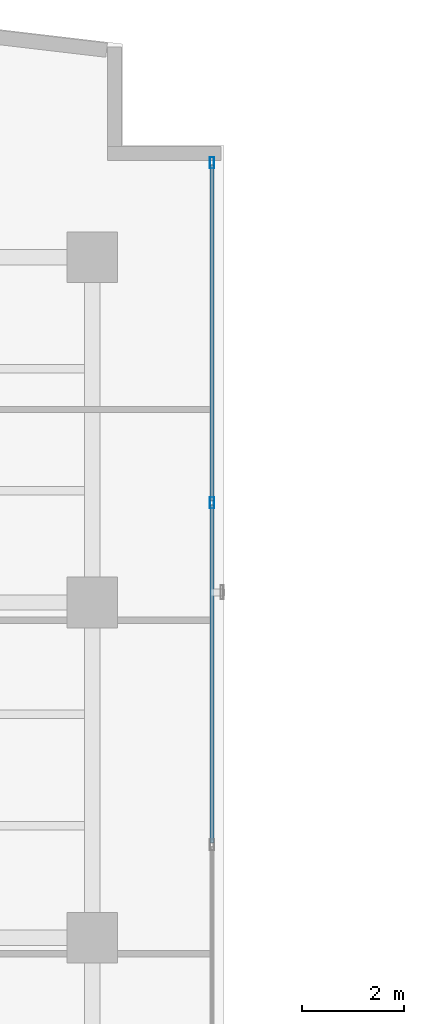
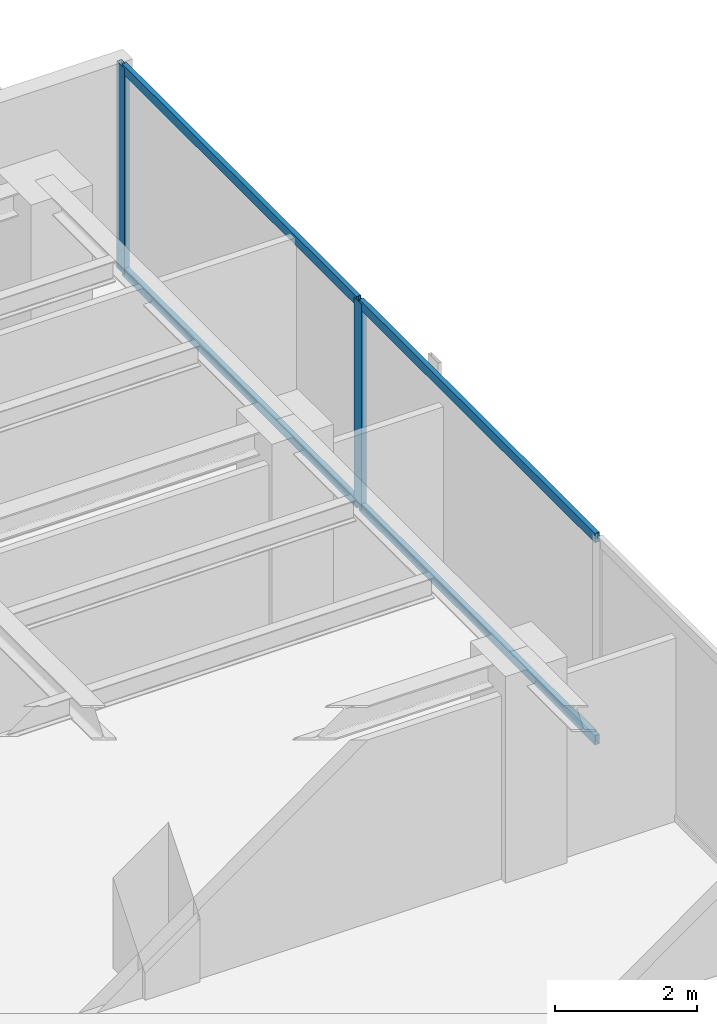
# One storey, part 15 of 24: 6 members, 1 element without a shape of its own.
"""IFC4 building model written with IfcOpenShell, lengths in metres."""

from ifc_helpers import new_model, si_unit, direction, frame, origin, origin_with_axes, origin_2d, place, context, subcontext, project, spatial, hollow_rectangle, extrude, source, transform, mapped, material, layer, layer_set, material_profile, profile_set, type_object, element, aggregate, save


model = new_model("IFC4")

# Units and contexts
model_context = context("Model", 3, precision=1e-05, world=origin(), true_north=direction((0.0, 1.0)))
body_context = subcontext(model_context, "Body", "Model", "MODEL_VIEW")
ifc_project = project(units=[si_unit("LENGTHUNIT", "METRE"), si_unit("AREAUNIT", "SQUARE_METRE"), si_unit("VOLUMEUNIT", "CUBIC_METRE"), si_unit("PLANEANGLEUNIT", "RADIAN"), si_unit("MASSUNIT", "GRAM", prefix="KILO")], contexts=[model_context])

# Site, building, storey
site_placement = place(None, origin())
site = spatial("IfcSite", under=ifc_project, at=site_placement, CompositionType="ELEMENT")
building_placement = place(site_placement, origin())
building = spatial("IfcBuilding", under=site, at=building_placement, Name="Kolvaren Waterfront Exchange", CompositionType="ELEMENT")
storey_placement = place(building_placement, frame((0.0, 0.0, 238.699951171875)))
storey = spatial("IfcBuildingStorey", under=building, at=storey_placement, Name="L61", CompositionType="ELEMENT", Elevation=238.699951171875)

# Curtain wall, members
ifc_material_1 = material(Name="Anodised bronze aluminium 6063-T6", Category="aluminium")
ifc_layer = layer(ifc_material_1, 0.219970703125, Name="Anodised bronze aluminium 6063-T6")
ifc_layer_set = layer_set([ifc_layer], Name="Anodised bronze aluminium 6063-T6")
curtain_wall_type = type_object("IfcCurtainWallType", Name="ARC-CW-SYS1", PredefinedType="USERDEFINED", material=ifc_layer_set)
curtain_wall_placement = place(storey_placement, origin())
curtain_wall = element("IfcCurtainWall", 1, at=curtain_wall_placement, inside=storey, type_object=curtain_wall_type, Name="L61 stick curtain wall CW1 (CW-L61-NE)", ObjectType="STICK CURTAIN WALL", PredefinedType="USERDEFINED")
ifc_material_2 = material(Name="Anodised aluminium 6063-T6", Category="aluminium")
ifc_material_profile_1 = material_profile(ifc_material_2, hollow_rectangle(XDim=0.080078125, YDim=0.219970703125, WallThickness=0.0048828125, at=origin_2d()), Name="ALU-MUL-220x80x5")
ifc_profile_set_1 = profile_set([ifc_material_profile_1], Name="Anodised aluminium 6063-T6")
member_type_1 = type_object("IfcMemberType", Name="ARC-CWM-220", PredefinedType="MULLION", material=ifc_profile_set_1)
shared_shape_1 = source(origin_with_axes(), body_context, "Body", "SweptSolid", [
    extrude(hollow_rectangle(XDim=0.080078125, YDim=0.219970703125, WallThickness=0.0048828125, at=origin_2d()), origin(), (0.0, 0.0, 1.0), 3.56005859375),
])
member_1_placement = place(storey_placement, frame((21.159912109375, 39.763427734375, 0.0), z_axis=(0.0, 0.0, 1.0), x_axis=(-1.0, 0.0, 0.0)))
member_1 = element("IfcMember", 2, at=member_1_placement, type_object=member_type_1, Name="CW1 mullion 3", PredefinedType="MULLION", context=body_context, shape_type="MappedRepresentation", body=[
    mapped(shared_shape_1, transform((0.0, 0.0, 0.0), x_axis=(1.0, 0.0, 0.0), y_axis=(0.0, 1.0, 0.0), z_axis=(0.0, 0.0, 1.0), scale=1.0)),
])
member_2_placement = place(storey_placement, frame((21.159912109375, 46.4599609375, 0.0), z_axis=(0.0, 0.0, 1.0), x_axis=(-1.0, 0.0, 0.0)))
member_2 = element("IfcMember", 3, at=member_2_placement, type_object=member_type_1, Name="CW1 mullion 4", PredefinedType="MULLION", context=body_context, shape_type="MappedRepresentation", body=[
    mapped(shared_shape_1, transform((0.0, 0.0, 0.0), x_axis=(1.0, 0.0, 0.0), y_axis=(0.0, 1.0, 0.0), z_axis=(0.0, 0.0, 1.0), scale=1.0)),
])
ifc_material_profile_2 = material_profile(ifc_material_2, hollow_rectangle(XDim=0.074951171875, YDim=0.159912109375, WallThickness=0.00439453125, at=origin_2d()), Name="ALU-TRN-160x75x4.5")
ifc_profile_set_2 = profile_set([ifc_material_profile_2], Name="Anodised aluminium 6063-T6")
member_type_2 = type_object("IfcMemberType", Name="ARC-CWT-160", PredefinedType="USERDEFINED", material=ifc_profile_set_2)
shared_shape_2 = source(origin_with_axes(), body_context, "Body", "SweptSolid", [
    extrude(hollow_rectangle(XDim=0.074951171875, YDim=0.159912109375, WallThickness=0.00439453125, at=origin_2d()), origin(), (0.0, 0.0, 1.0), 6.65673828125),
])
member_3_placement = place(storey_placement, frame((21.159912109375, 33.066650390625, 0.03759765625), z_axis=(0.0, 1.0, 0.0), x_axis=(-1.0, 0.0, 0.0)))
member_3 = element("IfcMember", 4, at=member_3_placement, type_object=member_type_2, Name="CW1 transom 2.1", ObjectType="TRANSOM", PredefinedType="USERDEFINED", context=body_context, shape_type="MappedRepresentation", body=[
    mapped(shared_shape_2, transform((0.0, 0.0, 0.0), x_axis=(1.0, 0.0, 0.0), y_axis=(0.0, 1.0, 0.0), z_axis=(0.0, 0.0, 1.0), scale=1.0)),
])
member_4_placement = place(storey_placement, frame((21.159912109375, 33.066650390625, 3.5224609375), z_axis=(0.0, 1.0, 0.0), x_axis=(-1.0, 0.0, 0.0)))
member_4 = element("IfcMember", 5, at=member_4_placement, type_object=member_type_2, Name="CW1 transom 2.2", ObjectType="TRANSOM", PredefinedType="USERDEFINED", context=body_context, shape_type="MappedRepresentation", body=[
    mapped(shared_shape_2, transform((0.0, 0.0, 0.0), x_axis=(1.0, 0.0, 0.0), y_axis=(0.0, 1.0, 0.0), z_axis=(0.0, 0.0, 1.0), scale=1.0)),
])
shared_shape_3 = source(origin_with_axes(), body_context, "Body", "SweptSolid", [
    extrude(hollow_rectangle(XDim=0.074951171875, YDim=0.159912109375, WallThickness=0.00439453125, at=origin_2d()), origin(), (0.0, 0.0, 1.0), 6.61669921875),
])
member_5_placement = place(storey_placement, frame((21.159912109375, 39.80322265625, 0.03759765625), z_axis=(0.0, 1.0, 0.0), x_axis=(-1.0, 0.0, 0.0)))
member_5 = element("IfcMember", 6, at=member_5_placement, type_object=member_type_2, Name="CW1 transom 3.1", ObjectType="TRANSOM", PredefinedType="USERDEFINED", context=body_context, shape_type="MappedRepresentation", body=[
    mapped(shared_shape_3, transform((0.0, 0.0, 0.0), x_axis=(1.0, 0.0, 0.0), y_axis=(0.0, 1.0, 0.0), z_axis=(0.0, 0.0, 1.0), scale=1.0)),
])
member_6_placement = place(storey_placement, frame((21.159912109375, 39.80322265625, 3.5224609375), z_axis=(0.0, 1.0, 0.0), x_axis=(-1.0, 0.0, 0.0)))
member_6 = element("IfcMember", 7, at=member_6_placement, type_object=member_type_2, Name="CW1 transom 3.2", ObjectType="TRANSOM", PredefinedType="USERDEFINED", context=body_context, shape_type="MappedRepresentation", body=[
    mapped(shared_shape_3, transform((0.0, 0.0, 0.0), x_axis=(1.0, 0.0, 0.0), y_axis=(0.0, 1.0, 0.0), z_axis=(0.0, 0.0, 1.0), scale=1.0)),
])
aggregate(curtain_wall, [member_1, member_2, member_3, member_4, member_5, member_6])

save(model, "model.ifc")
